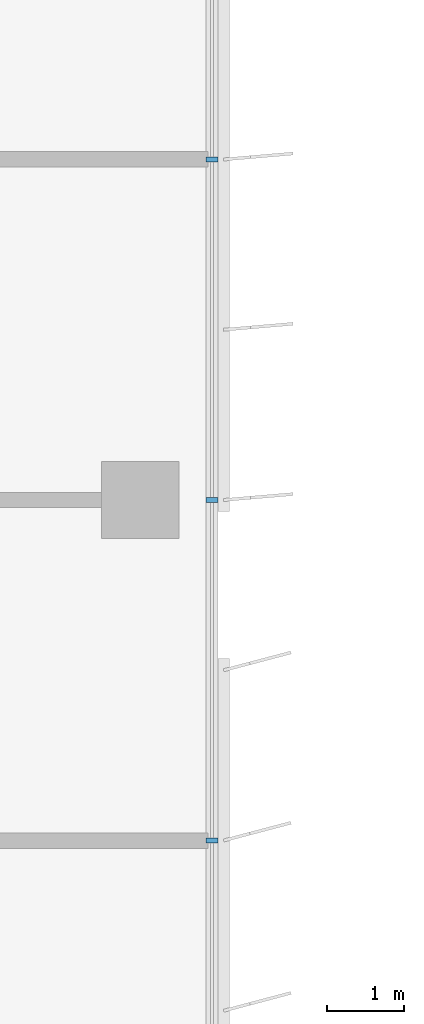
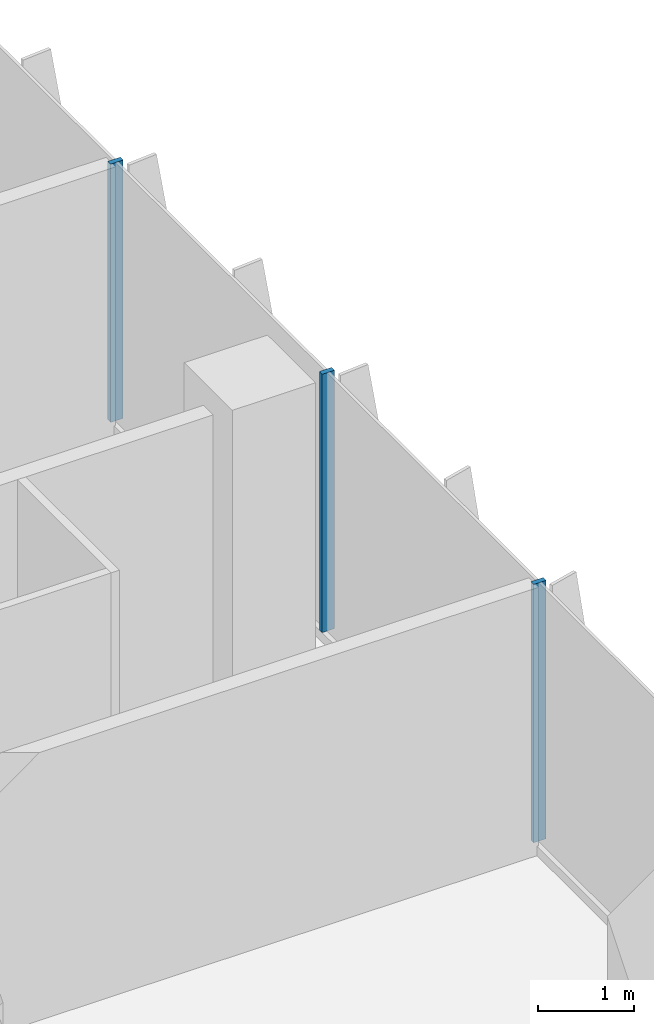
# One storey, part 5 of 21: 3 members, 1 element without a shape of its own.
"""IFC4 building model written with IfcOpenShell, lengths in metres."""

from ifc_helpers import new_model, si_unit, direction, frame, origin, origin_2d, place, context, subcontext, project, spatial, rectangle, extrude, source, transform, mapped, material, material_profile, profile_set, type_object, element, aggregate, save


model = new_model("IFC4")

# Units and contexts
model_context = context("Model", 3, precision=1e-05, world=origin(), true_north=direction((0.0, 1.0)))
body_context = subcontext(model_context, "Body", "Model", "MODEL_VIEW")
ifc_project = project(units=[si_unit("LENGTHUNIT", "METRE"), si_unit("AREAUNIT", "SQUARE_METRE"), si_unit("VOLUMEUNIT", "CUBIC_METRE"), si_unit("PLANEANGLEUNIT", "RADIAN"), si_unit("MASSUNIT", "GRAM", prefix="KILO")], contexts=[model_context])

# Site, building, storey
site_placement = place(None, origin())
site = spatial("IfcSite", under=ifc_project, at=site_placement, CompositionType="ELEMENT")
building_placement = place(site_placement, origin())
building = spatial("IfcBuilding", under=site, at=building_placement, Name="Kemantara Hotel Tower", CompositionType="ELEMENT")
storey_placement = place(building_placement, frame((0.0, 0.0, 167.89990234375)))
storey = spatial("IfcBuildingStorey", under=building, at=storey_placement, Name="L41", CompositionType="ELEMENT", Elevation=167.89990234375)

# Curtain wall, members
ifc_material_1 = material(Name="Low-E tinted double insulated glass 36 mm", Category="glass")
curtain_wall_type = type_object("IfcCurtainWallType", Name="TOWER CURTAIN WALL, FRONT FACES", PredefinedType="USERDEFINED", material=ifc_material_1)
curtain_wall_placement = place(storey_placement, origin())
curtain_wall = element("IfcCurtainWall", 1, at=curtain_wall_placement, inside=storey, type_object=curtain_wall_type, Name="CW4 L41 T3-R17-1", ObjectType="TOWER CURTAIN WALL, FRONT FACES", PredefinedType="USERDEFINED")
ifc_material_2 = material(Name="Aluminium 6063-T6 bronze anodised", Category="aluminium")
ifc_material_profile = material_profile(ifc_material_2, rectangle(XDim=0.14990234375, YDim=0.06005859375, at=origin_2d()), Name="TOWER CURTAIN WALL, FRONT FACES MULLION")
ifc_profile_set = profile_set([ifc_material_profile], Name="Aluminium 6063-T6 bronze anodised")
member_type = type_object("IfcMemberType", Name="TOWER CURTAIN WALL, FRONT FACES MULLION", PredefinedType="MULLION", material=ifc_profile_set)
shared_shape = source(origin(), body_context, "Body", "SweptSolid", [
    extrude(rectangle(XDim=0.14990234375, YDim=0.06005859375, at=origin_2d()), origin(), (0.0, 0.0, 1.0), 3.280029296875),
])
member_1_placement = place(storey_placement, frame((21.925048828125, 31.800048828125, 0.1201171875), z_axis=(0.0, 0.0, 1.0), x_axis=(-1.0, 0.0, 0.0)))
member_1 = element("IfcMember", 2, at=member_1_placement, type_object=member_type, Name="CW4 mullion T3-R17-1.3", PredefinedType="MULLION", context=body_context, shape_type="MappedRepresentation", body=[
    mapped(shared_shape, transform((0.0, 0.0, 0.0))),
])
member_2_placement = place(storey_placement, frame((21.925048828125, 36.199951171875, 0.1201171875), z_axis=(0.0, 0.0, 1.0), x_axis=(-1.0, 0.0, 0.0)))
member_2 = element("IfcMember", 3, at=member_2_placement, type_object=member_type, Name="CW4 mullion T3-R17-1.4", PredefinedType="MULLION", context=body_context, shape_type="MappedRepresentation", body=[
    mapped(shared_shape, transform((0.0, 0.0, 0.0))),
])
member_3_placement = place(storey_placement, frame((21.925048828125, 40.60009765625, 0.1201171875), z_axis=(0.0, 0.0, 1.0), x_axis=(-1.0, 0.0, 0.0)))
member_3 = element("IfcMember", 4, at=member_3_placement, type_object=member_type, Name="CW4 mullion T3-R17-1.5", PredefinedType="MULLION", context=body_context, shape_type="MappedRepresentation", body=[
    mapped(shared_shape, transform((0.0, 0.0, 0.0))),
])
aggregate(curtain_wall, [member_1, member_2, member_3])

save(model, "model.ifc")
